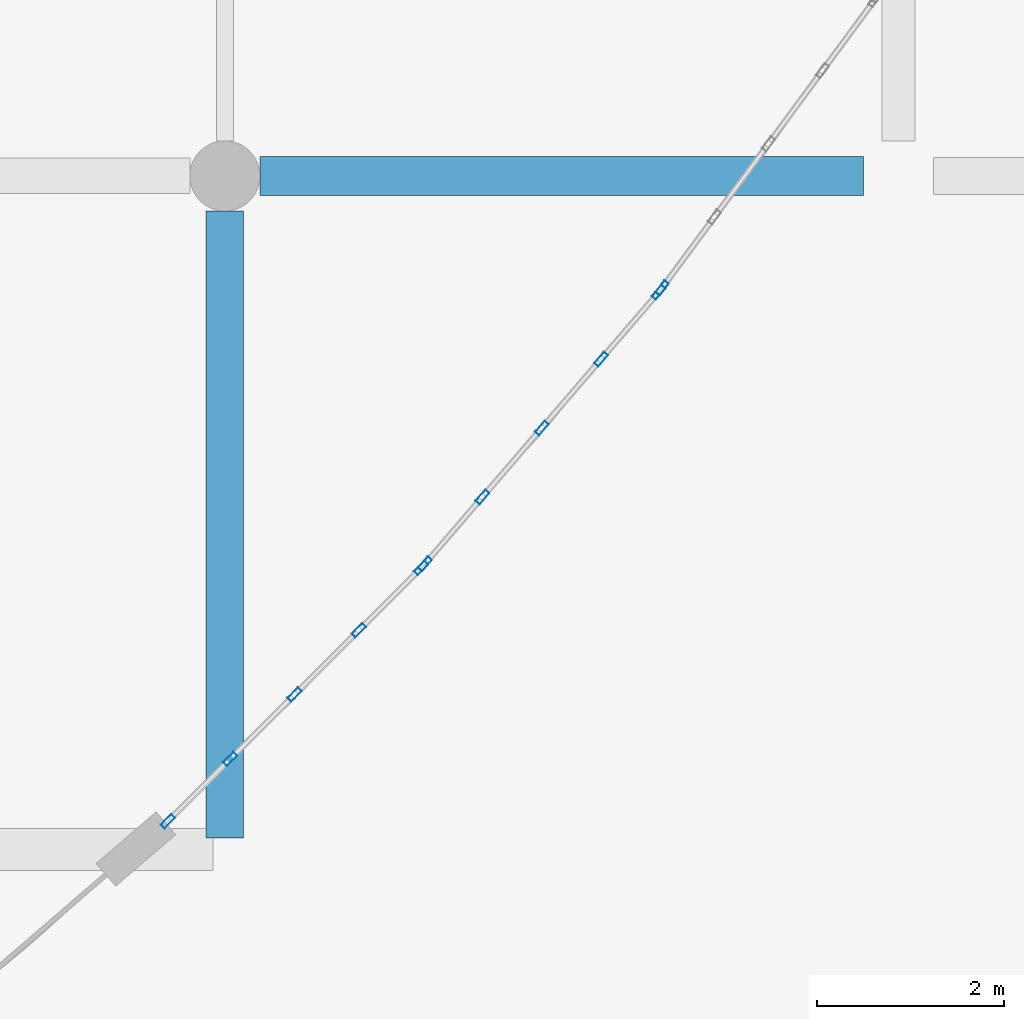
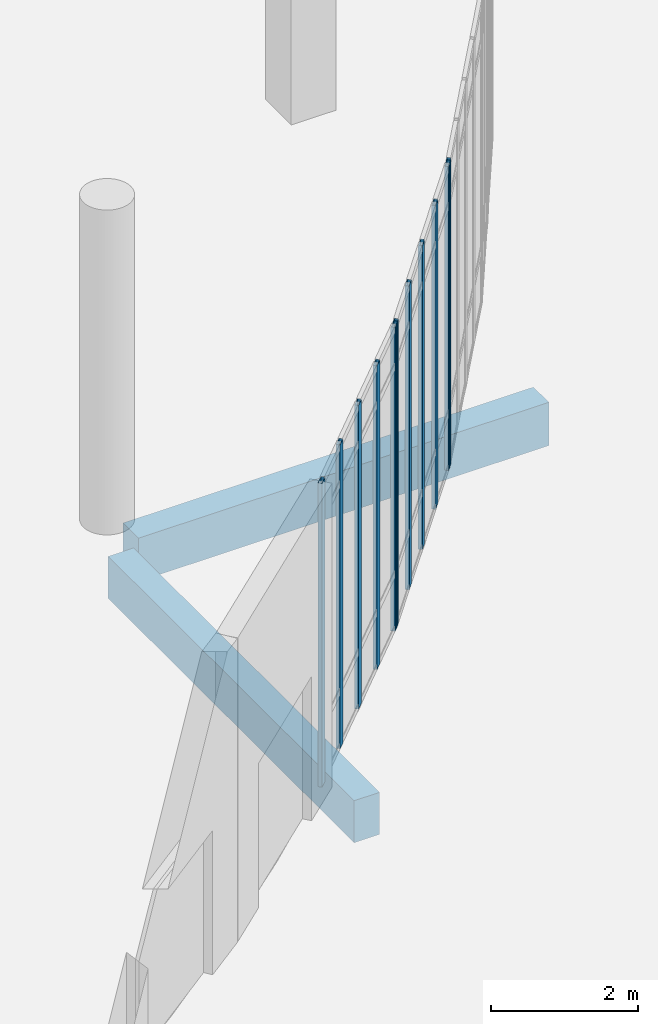
# One storey, part 33 of 110: 11 members, 2 beams, 3 elements without a shape of their own.
"""IFC4 building model written with IfcOpenShell, lengths in metres."""

from ifc_helpers import new_model, si_unit, direction, frame, origin, origin_2d, place, context, subcontext, project, spatial, rectangle, hollow_rectangle, extrude, material, material_profile, profile_set, type_object, element, aggregate, save


model = new_model("IFC4")

# Units and contexts
model_context = context("Model", 3, precision=1e-05, world=origin(), true_north=direction((0.0, 1.0)))
body_context = subcontext(model_context, "Body", "Model", "MODEL_VIEW")
ifc_project = project(units=[si_unit("LENGTHUNIT", "METRE"), si_unit("AREAUNIT", "SQUARE_METRE"), si_unit("VOLUMEUNIT", "CUBIC_METRE"), si_unit("PLANEANGLEUNIT", "RADIAN"), si_unit("MASSUNIT", "GRAM", prefix="KILO")], contexts=[model_context])

# Site, building, storey
site_placement = place(None, origin())
site = spatial("IfcSite", under=ifc_project, at=site_placement, CompositionType="ELEMENT")
building_placement = place(site_placement, origin())
building = spatial("IfcBuilding", under=site, at=building_placement, Name="Kalluvel Institute of Natural Sciences", CompositionType="ELEMENT")
storey_placement = place(building_placement, origin())
storey = spatial("IfcBuildingStorey", under=building, at=storey_placement, Name="L00", CompositionType="ELEMENT", Elevation=0.0)

# Beams
ifc_material_1 = material(Name="Concrete M40", Category="concrete")
ifc_material_profile_1 = material_profile(ifc_material_1, rectangle(XDim=0.39990234375, YDim=0.699951171875, at=origin_2d()), Name="RCB 400x700")
ifc_profile_set_1 = profile_set([ifc_material_profile_1], Name="Concrete M40")
beam_type_1 = type_object("IfcBeamType", Name="BM-RC400x700", PredefinedType="BEAM", material=ifc_profile_set_1)
beam_1_placement = place(storey_placement, frame((71.60009765625, 64.52490234375, -0.669921875), z_axis=(0.0, 1.0, 0.0), x_axis=(-1.0, 0.0, 0.0)))
element("IfcBeam", 1, at=beam_1_placement, inside=storey, type_object=beam_type_1, Name="L00 girder GIR-L00-NS-X716-Y644", PredefinedType="BEAM", context=body_context, shape_type="SweptSolid", body=[
    extrude(rectangle(XDim=0.39990234375, YDim=0.699951171875, at=origin_2d()), origin(), (0.0, 0.0, 1.0), 6.7001953125),
])
ifc_material_profile_2 = material_profile(ifc_material_1, rectangle(XDim=0.419921875, YDim=0.719970703125, at=origin_2d()), Name="RCB 420x720")
ifc_profile_set_2 = profile_set([ifc_material_profile_2], Name="Concrete M40")
beam_type_2 = type_object("IfcBeamType", Name="BM-RC420x720", PredefinedType="BEAM", material=ifc_profile_set_2)
beam_2_placement = place(storey_placement, frame((71.97509765625, 71.60009765625, -0.679931640625), z_axis=(1.0, 0.0, 0.0), x_axis=(0.0, 1.0, 0.0)))
element("IfcBeam", 2, at=beam_2_placement, inside=storey, type_object=beam_type_2, Name="L00 girder GIR-L00-EW-X716-Y716", PredefinedType="BEAM", context=body_context, shape_type="SweptSolid", body=[
    extrude(rectangle(XDim=0.419921875, YDim=0.719970703125, at=origin_2d()), origin(), (0.0, 0.0, 1.0), 6.449951171875),
])

# Curtain wall, members
ifc_material_2 = material(Name="Aluminium AW-6063 T6", Category="aluminium")
curtain_wall_type = type_object("IfcCurtainWallType", Name="CW-ATR-L00", PredefinedType="USERDEFINED", material=ifc_material_2)
curtain_wall_1_placement = place(storey_placement, origin())
curtain_wall_1 = element("IfcCurtainWall", 3, at=curtain_wall_1_placement, inside=storey, type_object=curtain_wall_type, Name="L00 Gothic lancet curtain wall CWA-L00-X710-Y647", ObjectType="UNITISED LANCET FACADE", PredefinedType="USERDEFINED")
ifc_material_profile_3 = material_profile(ifc_material_2, hollow_rectangle(XDim=0.06005859375, YDim=0.159912109375, WallThickness=0.00390625, at=origin_2d()), Name="CWM 60x160")
ifc_profile_set_3 = profile_set([ifc_material_profile_3], Name="Aluminium AW-6063 T6")
member_type = type_object("IfcMemberType", Name="CWM-60x160", PredefinedType="MULLION", material=ifc_profile_set_3)
member_1_placement = place(storey_placement, frame((70.990234375, 64.702392578125, 0.0), z_axis=(0.0, 0.0, 1.0), x_axis=(-0.707106781187, 0.707106781187, 0.0)))
member_1 = element("IfcMember", 4, at=member_1_placement, type_object=member_type, Name="CW-06 mullion 1", PredefinedType="MULLION", context=body_context, shape_type="SweptSolid", body=[
    extrude(hollow_rectangle(XDim=0.06005859375, YDim=0.159912109375, WallThickness=0.00390625, at=origin_2d()), origin(), (0.0, 0.0, 1.0), 5.050048828125),
])
member_2_placement = place(storey_placement, frame((71.656494140625, 65.36865234375, 0.0), z_axis=(0.0, 0.0, 1.0), x_axis=(-0.707106781187, 0.707106781187, 0.0)))
member_2 = element("IfcMember", 5, at=member_2_placement, type_object=member_type, Name="CW-06 mullion 2", PredefinedType="MULLION", context=body_context, shape_type="SweptSolid", body=[
    extrude(hollow_rectangle(XDim=0.06005859375, YDim=0.159912109375, WallThickness=0.00390625, at=origin_2d()), origin(), (0.0, 0.0, 1.0), 5.050048828125),
])
member_3_placement = place(storey_placement, frame((72.34375, 66.05615234375, 0.0), z_axis=(0.0, 0.0, 1.0), x_axis=(-0.707106781187, 0.707106781187, 0.0)))
member_3 = element("IfcMember", 6, at=member_3_placement, type_object=member_type, Name="CW-06 mullion 3", PredefinedType="MULLION", context=body_context, shape_type="SweptSolid", body=[
    extrude(hollow_rectangle(XDim=0.06005859375, YDim=0.159912109375, WallThickness=0.00390625, at=origin_2d()), origin(), (0.0, 0.0, 1.0), 5.050048828125),
])
member_4_placement = place(storey_placement, frame((73.03125, 66.74365234375, 0.0), z_axis=(0.0, 0.0, 1.0), x_axis=(-0.707106781187, 0.707106781187, 0.0)))
member_4 = element("IfcMember", 7, at=member_4_placement, type_object=member_type, Name="CW-06 mullion 4", PredefinedType="MULLION", context=body_context, shape_type="SweptSolid", body=[
    extrude(hollow_rectangle(XDim=0.06005859375, YDim=0.159912109375, WallThickness=0.00390625, at=origin_2d()), origin(), (0.0, 0.0, 1.0), 5.050048828125),
])
member_5_placement = place(storey_placement, frame((73.697509765625, 67.40966796875, 0.0), z_axis=(0.0, 0.0, 1.0), x_axis=(-0.707106781187, 0.707106781187, 0.0)))
member_5 = element("IfcMember", 8, at=member_5_placement, type_object=member_type, Name="CW-06 mullion 5", PredefinedType="MULLION", context=body_context, shape_type="SweptSolid", body=[
    extrude(hollow_rectangle(XDim=0.06005859375, YDim=0.159912109375, WallThickness=0.00390625, at=origin_2d()), origin(), (0.0, 0.0, 1.0), 5.050048828125),
])
aggregate(curtain_wall_1, [member_1, member_2, member_3, member_4, member_5])

curtain_wall_2_placement = place(storey_placement, origin())
curtain_wall_2 = element("IfcCurtainWall", 9, at=curtain_wall_2_placement, inside=storey, type_object=curtain_wall_type, Name="L00 Gothic lancet curtain wall CWA-L00-X737-Y674", ObjectType="UNITISED LANCET FACADE", PredefinedType="USERDEFINED")
member_6_placement = place(storey_placement, frame((73.73828125, 67.453857421875, 0.0), z_axis=(0.0, 0.0, 1.0), x_axis=(-0.757975391471, 0.652283148583, 0.0)))
member_6 = element("IfcMember", 10, at=member_6_placement, type_object=member_type, Name="CW-06 mullion 1", PredefinedType="MULLION", context=body_context, shape_type="SweptSolid", body=[
    extrude(hollow_rectangle(XDim=0.06005859375, YDim=0.159912109375, WallThickness=0.00390625, at=origin_2d()), origin(), (0.0, 0.0, 1.0), 5.050048828125),
])
member_7_placement = place(storey_placement, frame((74.352783203125, 68.16796875, 0.0), z_axis=(0.0, 0.0, 1.0), x_axis=(-0.757975391471, 0.652283148583, 0.0)))
member_7 = element("IfcMember", 11, at=member_7_placement, type_object=member_type, Name="CW-06 mullion 2", PredefinedType="MULLION", context=body_context, shape_type="SweptSolid", body=[
    extrude(hollow_rectangle(XDim=0.06005859375, YDim=0.159912109375, WallThickness=0.00390625, at=origin_2d()), origin(), (0.0, 0.0, 1.0), 5.050048828125),
])
member_8_placement = place(storey_placement, frame((74.987060546875, 68.90478515625, 0.0), z_axis=(0.0, 0.0, 1.0), x_axis=(-0.757975391471, 0.652283148583, 0.0)))
member_8 = element("IfcMember", 12, at=member_8_placement, type_object=member_type, Name="CW-06 mullion 3", PredefinedType="MULLION", context=body_context, shape_type="SweptSolid", body=[
    extrude(hollow_rectangle(XDim=0.06005859375, YDim=0.159912109375, WallThickness=0.00390625, at=origin_2d()), origin(), (0.0, 0.0, 1.0), 5.050048828125),
])
member_9_placement = place(storey_placement, frame((75.62109375, 69.6416015625, 0.0), z_axis=(0.0, 0.0, 1.0), x_axis=(-0.757975391471, 0.652283148583, 0.0)))
member_9 = element("IfcMember", 13, at=member_9_placement, type_object=member_type, Name="CW-06 mullion 4", PredefinedType="MULLION", context=body_context, shape_type="SweptSolid", body=[
    extrude(hollow_rectangle(XDim=0.06005859375, YDim=0.159912109375, WallThickness=0.00390625, at=origin_2d()), origin(), (0.0, 0.0, 1.0), 5.050048828125),
])
member_10_placement = place(storey_placement, frame((76.235595703125, 70.355712890625, 0.0), z_axis=(0.0, 0.0, 1.0), x_axis=(-0.757975391471, 0.652283148583, 0.0)))
member_10 = element("IfcMember", 14, at=member_10_placement, type_object=member_type, Name="CW-06 mullion 5", PredefinedType="MULLION", context=body_context, shape_type="SweptSolid", body=[
    extrude(hollow_rectangle(XDim=0.06005859375, YDim=0.159912109375, WallThickness=0.00390625, at=origin_2d()), origin(), (0.0, 0.0, 1.0), 5.050048828125),
])
aggregate(curtain_wall_2, [member_6, member_7, member_8, member_9, member_10])

# Curtain wall, member
curtain_wall_3_placement = place(storey_placement, origin())
curtain_wall_3 = element("IfcCurtainWall", 15, at=curtain_wall_3_placement, inside=storey, type_object=curtain_wall_type, Name="L00 Gothic lancet curtain wall CWA-L00-X763-Y704", ObjectType="UNITISED LANCET FACADE", PredefinedType="USERDEFINED")
member_11_placement = place(storey_placement, frame((76.27294921875, 70.402587890625, 0.0), z_axis=(0.0, 0.0, 1.0), x_axis=(-0.804601869963, 0.593814643515, 0.0)))
member_11 = element("IfcMember", 16, at=member_11_placement, type_object=member_type, Name="CW-06 mullion 1", PredefinedType="MULLION", context=body_context, shape_type="SweptSolid", body=[
    extrude(hollow_rectangle(XDim=0.06005859375, YDim=0.159912109375, WallThickness=0.00390625, at=origin_2d()), origin(), (0.0, 0.0, 1.0), 5.050048828125),
])
aggregate(curtain_wall_3, [member_11])

save(model, "model.ifc")
